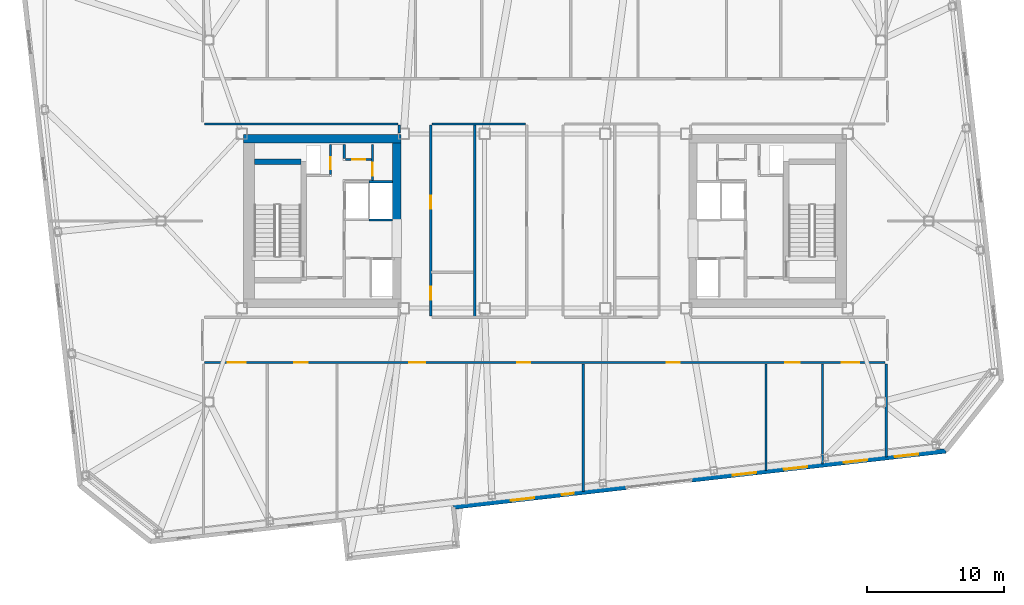
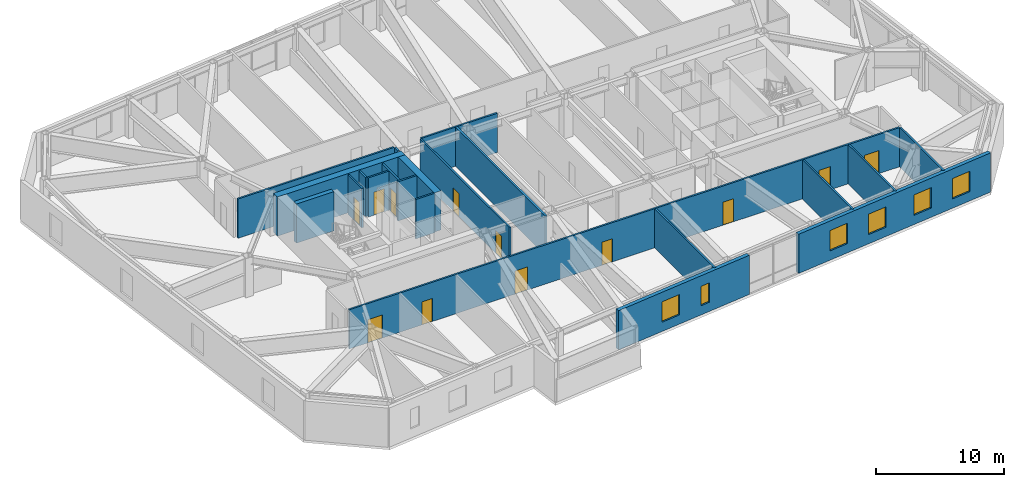
# One storey, part 12 of 18: 21 walls, 12 doors, 6 windows, 18 openings.
"""IFC4 building model written with IfcOpenShell, lengths in metres."""

from ifc_helpers import new_model, si_unit, direction, frame, frame_2d, origin, place, context, subcontext, project, spatial, rectangle, extrude, material, layer, layer_set, type_object, element, fill, save


model = new_model("IFC4")

# Units and contexts
model_context = context("Model", 3, precision=1e-05, world=origin(), true_north=direction((0.0, 1.0)))
body_context = subcontext(model_context, "Body", "Model", "MODEL_VIEW")
ifc_project = project(units=[si_unit("LENGTHUNIT", "METRE"), si_unit("AREAUNIT", "SQUARE_METRE"), si_unit("VOLUMEUNIT", "CUBIC_METRE"), si_unit("PLANEANGLEUNIT", "RADIAN"), si_unit("MASSUNIT", "GRAM", prefix="KILO")], contexts=[model_context])

# Site, building, storey
site_placement = place(None, origin())
site = spatial("IfcSite", under=ifc_project, at=site_placement, CompositionType="ELEMENT")
building_placement = place(site_placement, origin())
building = spatial("IfcBuilding", under=site, at=building_placement, Name="Tavrogorsk Clinical Tower", CompositionType="ELEMENT")
storey_placement = place(building_placement, frame((0.0, 0.0, 222.199951171875)))
storey = spatial("IfcBuildingStorey", under=building, at=storey_placement, Name="L51", CompositionType="ELEMENT", Elevation=222.199951171875)

# Wall, opening, door
ifc_material_1 = material(Name="Lightweight concrete blockwork B15", Category="masonry")
ifc_layer_1 = layer(ifc_material_1, 0.159912109375)
ifc_layer_set_1 = layer_set([ifc_layer_1], Name="Lightweight concrete blockwork B15")
wall_type_1 = type_object("IfcWallType", Name="PartitionWall_160", PredefinedType="PARTITIONING", material=ifc_layer_set_1)
wall_1_placement = place(storey_placement, frame((-12.580078125, 2.9599609375, 0.0), z_axis=(0.0, 0.0, 1.0), x_axis=(0.0, 1.0, 0.0)))
wall_1 = element("IfcWall", 1, at=wall_1_placement, inside=storey, type_object=wall_type_1, Name="L51 Core West Linen Closet Wall", PredefinedType="PARTITIONING", context=body_context, shape_type="SweptSolid", body=[
    extrude(rectangle(XDim=2.60009765625, YDim=0.159912109375, at=frame_2d((1.300048828125, 0.0))), origin(), (0.0, 0.0, 1.0), 3.739990234375),
])
opening_1_placement = place(wall_1_placement, frame((0.35009765625, 0.0, 0.0)))
opening_1 = element("IfcOpeningElement", 2, at=opening_1_placement, cuts=wall_1, Name="Opening ID-02", PredefinedType="OPENING", context=body_context, shape_type="SweptSolid", body=[
    extrude(rectangle(XDim=0.949951171875, YDim=2.199951171875, at=frame_2d((0.47509765625, 1.10009765625))), frame((0.0, 0.08984375, 0.0), z_axis=(0.0, -1.0, 0.0), x_axis=(1.0, 0.0, 0.0)), (0.0, 0.0, 1.0), 0.179931640625),
])
ifc_material_2 = material(Name="Laminated timber leaf on aluminium frame", Category="wood")
door_type_1 = type_object("IfcDoorType", Name="InteriorDoor_ID02_950", OperationType="NOTDEFINED", PredefinedType="DOOR", material=ifc_material_2)
door_1_placement = place(opening_1_placement, origin())
door_1 = element("IfcDoor", 3, at=door_1_placement, inside=storey, type_object=door_type_1, Name="L51 Core West Linen Closet Door", OperationType="SINGLE_SWING_RIGHT", OverallHeight=2.199951171875, OverallWidth=0.949951171875, PredefinedType="DOOR", context=body_context, shape_type="SweptSolid", body=[
    extrude(rectangle(XDim=0.949951171875, YDim=2.199951171875, at=frame_2d((0.47509765625, 1.10009765625))), frame((0.0, 0.02490234375, 0.0), z_axis=(0.0, -1.0, 0.0), x_axis=(1.0, 0.0, 0.0)), (0.0, 0.0, 1.0), 0.050048828125),
])
fill(opening_1, door_1)

wall_2_placement = place(storey_placement, frame((-14.554931640625, 4.47998046875, 0.0), z_axis=(0.0, 0.0, 1.0), x_axis=(1.0, 0.0, 0.0)))
wall_2 = element("IfcWall", 4, at=wall_2_placement, inside=storey, type_object=wall_type_1, Name="L51 Core West Housekeeping South Wall", PredefinedType="PARTITIONING", context=body_context, shape_type="SweptSolid", body=[
    extrude(rectangle(XDim=1.889892578125, YDim=0.159912109375, at=frame_2d((0.94482421875, 0.0))), origin(), (0.0, 0.0, 1.0), 3.739990234375),
])
opening_2_placement = place(wall_2_placement, frame((0.5, 0.0, 0.0)))
opening_2 = element("IfcOpeningElement", 5, at=opening_2_placement, cuts=wall_2, Name="Opening ID-02", PredefinedType="OPENING", context=body_context, shape_type="SweptSolid", body=[
    extrude(rectangle(XDim=0.949951171875, YDim=2.199951171875, at=frame_2d((0.47509765625, 1.10009765625))), frame((0.0, 0.08984375, 0.0), z_axis=(0.0, -1.0, 0.0), x_axis=(1.0, 0.0, 0.0)), (0.0, 0.0, 1.0), 0.179931640625),
])
door_2_placement = place(opening_2_placement, origin())
door_2 = element("IfcDoor", 6, at=door_2_placement, inside=storey, type_object=door_type_1, Name="L51 Core West Housekeeping Closet Door", OperationType="SINGLE_SWING_LEFT", OverallHeight=2.199951171875, OverallWidth=0.949951171875, PredefinedType="DOOR", context=body_context, shape_type="SweptSolid", body=[
    extrude(rectangle(XDim=0.949951171875, YDim=2.199951171875, at=frame_2d((0.47509765625, 1.10009765625))), frame((0.0, 0.02490234375, 0.0), z_axis=(0.0, -1.0, 0.0), x_axis=(1.0, 0.0, 0.0)), (0.0, 0.0, 1.0), 0.050048828125),
])
fill(opening_2, door_2)

# Walls
wall_3_placement = place(storey_placement, frame((-14.639892578125, 4.56494140625, 0.0), z_axis=(0.0, 0.0, 1.0), x_axis=(0.0, 1.0, 0.0)))
element("IfcWall", 7, at=wall_3_placement, inside=storey, type_object=wall_type_1, Name="L51 Core West Housekeeping East Wall", PredefinedType="PARTITIONING", context=body_context, shape_type="SweptSolid", body=[
    extrude(rectangle(XDim=0.9951171875, YDim=0.159912109375, at=frame_2d((0.49755859375, 0.0))), origin(), (0.0, 0.0, 1.0), 3.739990234375),
])
wall_4_placement = place(storey_placement, frame((-10.6298828125, 6.419921875, 0.0), z_axis=(0.0, 0.0, 1.0), x_axis=(0.0, 1.0, 0.0)))
element("IfcWall", 8, at=wall_4_placement, inside=storey, type_object=wall_type_1, Name="L51 Corridor Partition 04", PredefinedType="PARTITIONING", context=body_context, shape_type="SweptSolid", body=[
    extrude(rectangle(XDim=0.565185546875, YDim=0.159912109375, at=frame_2d((0.28271484375, 0.0))), origin(), (0.0, 0.0, 1.0), 3.739990234375),
])
wall_5_placement = place(storey_placement, frame((-10.715087890625, 7.070068359375, 0.0), z_axis=(0.0, 0.0, 1.0), x_axis=(-1.0, 0.0, 0.0)))
element("IfcWall", 9, at=wall_5_placement, inside=storey, type_object=wall_type_1, Name="L51 Corridor Partition 05", PredefinedType="PARTITIONING", context=body_context, shape_type="SweptSolid", body=[
    extrude(rectangle(XDim=14.099853515625, YDim=0.159912109375, at=frame_2d((7.0498046875, 0.0))), origin(), (0.0, 0.0, 1.0), 3.739990234375),
])

# Wall, openings, doors
wall_6_placement = place(storey_placement, frame((24.81494140625, -10.330078125, 0.0), z_axis=(0.0, 0.0, 1.0), x_axis=(-1.0, 0.0, 0.0)))
wall_6 = element("IfcWall", 10, at=wall_6_placement, inside=storey, type_object=wall_type_1, Name="L51 Corridor Partition 14", PredefinedType="PARTITIONING", context=body_context, shape_type="SweptSolid", body=[
    extrude(rectangle(XDim=49.6298828125, YDim=0.159912109375, at=frame_2d((24.81494140625, 0.0))), origin(), (0.0, 0.0, 1.0), 3.739990234375),
])
opening_3_placement = place(wall_6_placement, frame((46.630859375, 0.0, 0.0)))
opening_3 = element("IfcOpeningElement", 11, at=opening_3_placement, cuts=wall_6, Name="Opening ID-01", PredefinedType="OPENING", context=body_context, shape_type="SweptSolid", body=[
    extrude(rectangle(XDim=1.300048828125, YDim=2.199951171875, at=frame_2d((0.64990234375, 1.10009765625))), frame((0.0, 0.08984375, 0.0), z_axis=(0.0, -1.0, 0.0), x_axis=(1.0, 0.0, 0.0)), (0.0, 0.0, 1.0), 0.179931640625),
])
opening_4_placement = place(wall_6_placement, frame((42.1298828125, 0.0, 0.0)))
opening_4 = element("IfcOpeningElement", 12, at=opening_4_placement, cuts=wall_6, Name="Opening ID-02", PredefinedType="OPENING", context=body_context, shape_type="SweptSolid", body=[
    extrude(rectangle(XDim=0.949951171875, YDim=2.199951171875, at=frame_2d((0.47509765625, 1.10009765625))), frame((0.0, 0.08984375, 0.0), z_axis=(0.0, -1.0, 0.0), x_axis=(1.0, 0.0, 0.0)), (0.0, 0.0, 1.0), 0.179931640625),
])
opening_5_placement = place(wall_6_placement, frame((33.550048828125, 0.0, 0.0)))
opening_5 = element("IfcOpeningElement", 13, at=opening_5_placement, cuts=wall_6, Name="Opening ID-06", PredefinedType="OPENING", context=body_context, shape_type="SweptSolid", body=[
    extrude(rectangle(XDim=1.14990234375, YDim=2.199951171875, at=frame_2d((0.574951171875, 1.10009765625))), frame((0.0, 0.08984375, 0.0), z_axis=(0.0, -1.0, 0.0), x_axis=(1.0, 0.0, 0.0)), (0.0, 0.0, 1.0), 0.179931640625),
])
opening_6_placement = place(wall_6_placement, frame((25.889892578125, 0.0, 0.0)))
opening_6 = element("IfcOpeningElement", 14, at=opening_6_placement, cuts=wall_6, Name="Opening ID-02", PredefinedType="OPENING", context=body_context, shape_type="SweptSolid", body=[
    extrude(rectangle(XDim=0.949951171875, YDim=2.199951171875, at=frame_2d((0.47509765625, 1.10009765625))), frame((0.0, 0.08984375, 0.0), z_axis=(0.0, -1.0, 0.0), x_axis=(1.0, 0.0, 0.0)), (0.0, 0.0, 1.0), 0.179931640625),
])
opening_7_placement = place(wall_6_placement, frame((14.965087890625, 0.0, 0.0)))
opening_7 = element("IfcOpeningElement", 15, at=opening_7_placement, cuts=wall_6, Name="Opening ID-02", PredefinedType="OPENING", context=body_context, shape_type="SweptSolid", body=[
    extrude(rectangle(XDim=0.949951171875, YDim=2.199951171875, at=frame_2d((0.47509765625, 1.10009765625))), frame((0.0, 0.08984375, 0.0), z_axis=(0.0, -1.0, 0.0), x_axis=(1.0, 0.0, 0.0)), (0.0, 0.0, 1.0), 0.179931640625),
])
opening_8_placement = place(wall_6_placement, frame((6.239990234375, 0.0, 0.0)))
opening_8 = element("IfcOpeningElement", 16, at=opening_8_placement, cuts=wall_6, Name="Opening ID-04", PredefinedType="OPENING", context=body_context, shape_type="SweptSolid", body=[
    extrude(rectangle(XDim=1.050048828125, YDim=2.199951171875, at=frame_2d((0.52490234375, 1.10009765625))), frame((0.0, 0.08984375, 0.0), z_axis=(0.0, -1.0, 0.0), x_axis=(1.0, 0.0, 0.0)), (0.0, 0.0, 1.0), 0.179931640625),
])
opening_9_placement = place(wall_6_placement, frame((1.869140625, 0.0, 0.0)))
opening_9 = element("IfcOpeningElement", 17, at=opening_9_placement, cuts=wall_6, Name="Opening ID-01", PredefinedType="OPENING", context=body_context, shape_type="SweptSolid", body=[
    extrude(rectangle(XDim=1.300048828125, YDim=2.199951171875, at=frame_2d((0.64990234375, 1.10009765625))), frame((0.0, 0.08984375, 0.0), z_axis=(0.0, -1.0, 0.0), x_axis=(1.0, 0.0, 0.0)), (0.0, 0.0, 1.0), 0.179931640625),
])
ifc_material_3 = material(Name="Antibacterial HPL consultation door on aluminium frame", Category="aluminium")
door_type_2 = type_object("IfcDoorType", Name="ConsultDoor_ID04_1050", OperationType="NOTDEFINED", PredefinedType="DOOR", material=ifc_material_3)
door_3_placement = place(opening_8_placement, origin())
door_3 = element("IfcDoor", 18, at=door_3_placement, inside=storey, type_object=door_type_2, Name="L51 South Attending Physician Office 05 Door", OperationType="SINGLE_SWING_LEFT", OverallHeight=2.199951171875, OverallWidth=1.050048828125, PredefinedType="DOOR", context=body_context, shape_type="SweptSolid", body=[
    extrude(rectangle(XDim=1.050048828125, YDim=2.199951171875, at=frame_2d((0.52490234375, 1.10009765625))), frame((0.0, 0.02490234375, 0.0), z_axis=(0.0, -1.0, 0.0), x_axis=(1.0, 0.0, 0.0)), (0.0, 0.0, 1.0), 0.050048828125),
])
fill(opening_8, door_3)
door_4_placement = place(opening_4_placement, origin())
door_4 = element("IfcDoor", 19, at=door_4_placement, inside=storey, type_object=door_type_1, Name="L51 South Clean Medication & Prep Room 02 Door", OperationType="SINGLE_SWING_LEFT", OverallHeight=2.199951171875, OverallWidth=0.949951171875, PredefinedType="DOOR", context=body_context, shape_type="SweptSolid", body=[
    extrude(rectangle(XDim=0.949951171875, YDim=2.199951171875, at=frame_2d((0.47509765625, 1.10009765625))), frame((0.0, 0.02490234375, 0.0), z_axis=(0.0, -1.0, 0.0), x_axis=(1.0, 0.0, 0.0)), (0.0, 0.0, 1.0), 0.050048828125),
])
fill(opening_4, door_4)
door_5_placement = place(opening_6_placement, origin())
door_5 = element("IfcDoor", 20, at=door_5_placement, inside=storey, type_object=door_type_1, Name="L51 South Clinical Case Seminar Room 03B Door", OperationType="SINGLE_SWING_LEFT", OverallHeight=2.199951171875, OverallWidth=0.949951171875, PredefinedType="DOOR", context=body_context, shape_type="SweptSolid", body=[
    extrude(rectangle(XDim=0.949951171875, YDim=2.199951171875, at=frame_2d((0.47509765625, 1.10009765625))), frame((0.0, 0.02490234375, 0.0), z_axis=(0.0, -1.0, 0.0), x_axis=(1.0, 0.0, 0.0)), (0.0, 0.0, 1.0), 0.050048828125),
])
fill(opening_6, door_5)
door_6_placement = place(opening_7_placement, origin())
door_6 = element("IfcDoor", 21, at=door_6_placement, inside=storey, type_object=door_type_1, Name="L51 South Cardiology Diagnostics Room 04 Door", OperationType="SINGLE_SWING_RIGHT", OverallHeight=2.199951171875, OverallWidth=0.949951171875, PredefinedType="DOOR", context=body_context, shape_type="SweptSolid", body=[
    extrude(rectangle(XDim=0.949951171875, YDim=2.199951171875, at=frame_2d((0.47509765625, 1.10009765625))), frame((0.0, 0.02490234375, 0.0), z_axis=(0.0, -1.0, 0.0), x_axis=(1.0, 0.0, 0.0)), (0.0, 0.0, 1.0), 0.050048828125),
])
fill(opening_7, door_6)
ifc_material_4 = material(Name="Antibacterial HPL procedure door on aluminium frame", Category="aluminium")
door_type_3 = type_object("IfcDoorType", Name="LabDoor_ID06_1150", OperationType="NOTDEFINED", PredefinedType="DOOR", material=ifc_material_4)
door_7_placement = place(opening_5_placement, origin())
door_7 = element("IfcDoor", 22, at=door_7_placement, inside=storey, type_object=door_type_3, Name="L51 South Outpatient Procedure Suite 03A Door", OperationType="SINGLE_SWING_RIGHT", OverallHeight=2.199951171875, OverallWidth=1.14990234375, PredefinedType="DOOR", context=body_context, shape_type="SweptSolid", body=[
    extrude(rectangle(XDim=1.14990234375, YDim=2.199951171875, at=frame_2d((0.574951171875, 1.10009765625))), frame((0.0, 0.02490234375, 0.0), z_axis=(0.0, -1.0, 0.0), x_axis=(1.0, 0.0, 0.0)), (0.0, 0.0, 1.0), 0.050048828125),
])
fill(opening_5, door_7)
ifc_material_5 = material(Name="Antibacterial HPL medical leaf on aluminium frame", Category="aluminium")
door_type_4 = type_object("IfcDoorType", Name="WardBedDoor_ID01_1300", OperationType="NOTDEFINED", PredefinedType="DOOR", material=ifc_material_5)
door_8_placement = place(opening_3_placement, origin())
door_8 = element("IfcDoor", 23, at=door_8_placement, inside=storey, type_object=door_type_4, Name="L51 South Acute Medical Ward 01 Door", OperationType="SINGLE_SWING_RIGHT", OverallHeight=2.199951171875, OverallWidth=1.300048828125, PredefinedType="DOOR", context=body_context, shape_type="SweptSolid", body=[
    extrude(rectangle(XDim=1.300048828125, YDim=2.199951171875, at=frame_2d((0.64990234375, 1.10009765625))), frame((0.0, 0.02490234375, 0.0), z_axis=(0.0, -1.0, 0.0), x_axis=(1.0, 0.0, 0.0)), (0.0, 0.0, 1.0), 0.050048828125),
])
fill(opening_3, door_8)
door_9_placement = place(opening_9_placement, origin())
door_9 = element("IfcDoor", 24, at=door_9_placement, inside=storey, type_object=door_type_4, Name="L51 South Acute Medical Ward 06 Door", OperationType="SINGLE_SWING_RIGHT", OverallHeight=2.199951171875, OverallWidth=1.300048828125, PredefinedType="DOOR", context=body_context, shape_type="SweptSolid", body=[
    extrude(rectangle(XDim=1.300048828125, YDim=2.199951171875, at=frame_2d((0.64990234375, 1.10009765625))), frame((0.0, 0.02490234375, 0.0), z_axis=(0.0, -1.0, 0.0), x_axis=(1.0, 0.0, 0.0)), (0.0, 0.0, 1.0), 0.050048828125),
])
fill(opening_9, door_9)

# Wall
wall_7_placement = place(storey_placement, frame((-1.4150390625, 7.070068359375, 0.0), z_axis=(0.0, 0.0, 1.0), x_axis=(-1.0, 0.0, 0.0)))
element("IfcWall", 25, at=wall_7_placement, inside=storey, type_object=wall_type_1, Name="L51 Corridor Partition 20", PredefinedType="PARTITIONING", context=body_context, shape_type="SweptSolid", body=[
    extrude(rectangle(XDim=6.820068359375, YDim=0.159912109375, at=frame_2d((3.41015625, 0.0))), origin(), (0.0, 0.0, 1.0), 3.739990234375),
])

# Wall, openings, doors
wall_8_placement = place(storey_placement, frame((-8.320068359375, 6.985107421875, 0.0), z_axis=(0.0, 0.0, 1.0), x_axis=(0.0, -1.0, 0.0)))
wall_8 = element("IfcWall", 26, at=wall_8_placement, inside=storey, type_object=wall_type_1, Name="L51 Corridor Partition 21", PredefinedType="PARTITIONING", context=body_context, shape_type="SweptSolid", body=[
    extrude(rectangle(XDim=13.920166015625, YDim=0.159912109375, at=frame_2d((6.9599609375, 0.0))), origin(), (0.0, 0.0, 1.0), 3.739990234375),
])
opening_10_placement = place(wall_8_placement, frame((11.785888671875, 0.0, 0.0)))
opening_10 = element("IfcOpeningElement", 27, at=opening_10_placement, cuts=wall_8, Name="Opening ID-02", PredefinedType="OPENING", context=body_context, shape_type="SweptSolid", body=[
    extrude(rectangle(XDim=0.949951171875, YDim=2.199951171875, at=frame_2d((0.47509765625, 1.10009765625))), frame((0.0, 0.08984375, 0.0), z_axis=(0.0, -1.0, 0.0), x_axis=(1.0, 0.0, 0.0)), (0.0, 0.0, 1.0), 0.179931640625),
])
opening_11_placement = place(wall_8_placement, frame((5.129150390625, 0.0, 0.0)))
opening_11 = element("IfcOpeningElement", 28, at=opening_11_placement, cuts=wall_8, Name="Opening ID-02", PredefinedType="OPENING", context=body_context, shape_type="SweptSolid", body=[
    extrude(rectangle(XDim=0.949951171875, YDim=2.199951171875, at=frame_2d((0.47509765625, 1.10009765625))), frame((0.0, 0.08984375, 0.0), z_axis=(0.0, -1.0, 0.0), x_axis=(1.0, 0.0, 0.0)), (0.0, 0.0, 1.0), 0.179931640625),
])
door_10_placement = place(opening_10_placement, origin())
door_10 = element("IfcDoor", 29, at=door_10_placement, inside=storey, type_object=door_type_1, Name="L51 Accessible Patient Lavatory Door", OperationType="SINGLE_SWING_LEFT", OverallHeight=2.199951171875, OverallWidth=0.949951171875, PredefinedType="DOOR", context=body_context, shape_type="SweptSolid", body=[
    extrude(rectangle(XDim=0.949951171875, YDim=2.199951171875, at=frame_2d((0.47509765625, 1.10009765625))), frame((0.0, 0.02490234375, 0.0), z_axis=(0.0, -1.0, 0.0), x_axis=(1.0, 0.0, 0.0)), (0.0, 0.0, 1.0), 0.050048828125),
])
fill(opening_10, door_10)
door_11_placement = place(opening_11_placement, origin())
door_11 = element("IfcDoor", 30, at=door_11_placement, inside=storey, type_object=door_type_1, Name="L51 Ward Nourishment Pantry Door", OperationType="SINGLE_SWING_RIGHT", OverallHeight=2.199951171875, OverallWidth=0.949951171875, PredefinedType="DOOR", context=body_context, shape_type="SweptSolid", body=[
    extrude(rectangle(XDim=0.949951171875, YDim=2.199951171875, at=frame_2d((0.47509765625, 1.10009765625))), frame((0.0, 0.02490234375, 0.0), z_axis=(0.0, -1.0, 0.0), x_axis=(1.0, 0.0, 0.0)), (0.0, 0.0, 1.0), 0.050048828125),
])
fill(opening_11, door_11)

# Walls
wall_9_placement = place(storey_placement, frame((24.89990234375, -17.199462890625, 0.0), z_axis=(0.0, 0.0, 1.0), x_axis=(0.0, 1.0, 0.0)))
element("IfcWall", 31, at=wall_9_placement, inside=storey, type_object=wall_type_1, Name="L51 SE Wing Closure Partition", PredefinedType="PARTITIONING", context=body_context, shape_type="SweptSolid", body=[
    extrude(rectangle(XDim=6.784423828125, YDim=0.159912109375, at=frame_2d((3.39208984375, 0.0))), origin(), (0.0, 0.0, 1.0), 3.739990234375),
])
wall_10_placement = place(storey_placement, frame((2.800048828125, -19.71728515625, 0.0), z_axis=(0.0, 0.0, 1.0), x_axis=(0.0, 1.0, 0.0)))
element("IfcWall", 32, at=wall_10_placement, inside=storey, type_object=wall_type_1, Name="L51 South Room Partition 3", PredefinedType="PARTITIONING", context=body_context, shape_type="SweptSolid", body=[
    extrude(rectangle(XDim=9.30224609375, YDim=0.159912109375, at=frame_2d((4.651123046875, 0.0))), origin(), (0.0, 0.0, 1.0), 3.739990234375),
])
wall_11_placement = place(storey_placement, frame((16.1201171875, -18.19970703125, 0.0), z_axis=(0.0, 0.0, 1.0), x_axis=(0.0, 1.0, 0.0)))
element("IfcWall", 33, at=wall_11_placement, inside=storey, type_object=wall_type_1, Name="L51 South Room Partition 4", PredefinedType="PARTITIONING", context=body_context, shape_type="SweptSolid", body=[
    extrude(rectangle(XDim=7.78466796875, YDim=0.159912109375, at=frame_2d((3.892333984375, 0.0))), origin(), (0.0, 0.0, 1.0), 3.739990234375),
])
wall_12_placement = place(storey_placement, frame((20.25, -17.729248046875, 0.0), z_axis=(0.0, 0.0, 1.0), x_axis=(0.0, 1.0, 0.0)))
element("IfcWall", 34, at=wall_12_placement, inside=storey, type_object=wall_type_1, Name="L51 South Room Partition 5", PredefinedType="PARTITIONING", context=body_context, shape_type="SweptSolid", body=[
    extrude(rectangle(XDim=7.314208984375, YDim=0.159912109375, at=frame_2d((3.6572265625, 0.0))), origin(), (0.0, 0.0, 1.0), 3.739990234375),
])
ifc_material_6 = material(Name="Lightweight concrete blockwork B20", Category="masonry")
ifc_layer_2 = layer(ifc_material_6, 0.179931640625)
ifc_layer_set_2 = layer_set([ifc_layer_2], Name="Lightweight concrete blockwork B20")
wall_type_2 = type_object("IfcWallType", Name="PartitionWall_180", PredefinedType="PARTITIONING", material=ifc_layer_set_2)
wall_13_placement = place(storey_placement, frame((-5.10009765625, -7.014892578125, 0.0), z_axis=(0.0, 0.0, 1.0), x_axis=(0.0, 1.0, 0.0)))
element("IfcWall", 35, at=wall_13_placement, inside=storey, type_object=wall_type_2, Name="L51 Central Spine Partition 1", PredefinedType="PARTITIONING", context=body_context, shape_type="SweptSolid", body=[
    extrude(rectangle(XDim=14.079833984375, YDim=0.179931640625, at=frame_2d((7.0400390625, 0.0))), origin(), (0.0, 0.0, 1.0), 3.739990234375),
])

# Wall, openings, windows
ifc_material_7 = material(Name="Precast concrete B45 with limestone cladding", Category="masonry")
ifc_layer_3 = layer(ifc_material_7, 0.340087890625)
ifc_layer_set_3 = layer_set([ifc_layer_3], Name="Precast concrete B45 with limestone cladding")
wall_type_3 = type_object("IfcWallType", Name="PrecastLimestoneWall_340", PredefinedType="STANDARD", material=ifc_layer_set_3)
wall_14_placement = place(storey_placement, frame((-6.675537109375, -20.867431640625, 0.0), z_axis=(0.0, 0.0, 1.0), x_axis=(0.993572024997, 0.113201727649, 0.0)))
wall_14 = element("IfcWall", 36, at=wall_14_placement, inside=storey, type_object=wall_type_3, Name="L51 S Limestone Facade Wall 2", PredefinedType="STANDARD", context=body_context, shape_type="SweptSolid", body=[
    extrude(rectangle(XDim=12.698486328125, YDim=0.340087890625, at=frame_2d((6.34912109375, 0.0))), origin(), (0.0, 0.0, 1.0), 3.739990234375),
])
opening_12_placement = place(wall_14_placement, frame((4.225830078125, 0.0, 0.8798828125)))
opening_12 = element("IfcOpeningElement", 37, at=opening_12_placement, cuts=wall_14, Name="Opening WN-15", PredefinedType="OPENING", context=body_context, shape_type="SweptSolid", body=[
    extrude(rectangle(XDim=1.699951171875, YDim=1.949951171875, at=frame_2d((0.85009765625, 0.97509765625))), frame((0.0, 0.179931640625, 0.0), z_axis=(0.0, -1.0, 0.0), x_axis=(1.0, 0.0, 0.0)), (0.0, 0.0, 1.0), 0.360107421875),
])
opening_13_placement = place(wall_14_placement, frame((7.97412109375, 0.0, 0.8798828125)))
opening_13 = element("IfcOpeningElement", 38, at=opening_13_placement, cuts=wall_14, Name="Opening WN-06", PredefinedType="OPENING", context=body_context, shape_type="SweptSolid", body=[
    extrude(rectangle(XDim=0.85009765625, YDim=1.85009765625, at=frame_2d((0.425048828125, 0.925048828125))), frame((0.0, 0.179931640625, 0.0), z_axis=(0.0, -1.0, 0.0), x_axis=(1.0, 0.0, 0.0)), (0.0, 0.0, 1.0), 0.360107421875),
])
ifc_material_8 = material(Name="Thermally broken aluminium frame and triple IGU", Category="aluminium")
window_type_1 = type_object("IfcWindowType", Name="MullionSubWin_850x1850", PartitioningType="SINGLE_PANEL", PredefinedType="WINDOW", material=ifc_material_8)
window_1_placement = place(opening_13_placement, origin())
window_1 = element("IfcWindow", 39, at=window_1_placement, inside=storey, type_object=window_type_1, Name="L51 S Mullion Split Window 06A", OverallHeight=1.85009765625, OverallWidth=0.85009765625, PartitioningType="SINGLE_PANEL", PredefinedType="WINDOW", context=body_context, shape_type="SweptSolid", body=[
    extrude(rectangle(XDim=0.85009765625, YDim=1.85009765625, at=frame_2d((0.425048828125, 0.925048828125))), frame((0.0, 0.030029296875, 0.0), z_axis=(0.0, -1.0, 0.0), x_axis=(1.0, 0.0, 0.0)), (0.0, 0.0, 1.0), 0.06005859375),
])
fill(opening_13, window_1)
ifc_material_9 = material(Name="Thermally broken aluminium frame and triple IGU", Category="aluminium")
window_type_2 = type_object("IfcWindowType", Name="OfficeChicagoWin_1700x1950", PartitioningType="SINGLE_PANEL", PredefinedType="WINDOW", material=ifc_material_9)
window_2_placement = place(opening_12_placement, origin())
window_2 = element("IfcWindow", 40, at=window_2_placement, inside=storey, type_object=window_type_2, Name="L51 S Chicago Window 05", OverallHeight=1.949951171875, OverallWidth=1.699951171875, PartitioningType="SINGLE_PANEL", PredefinedType="WINDOW", context=body_context, shape_type="SweptSolid", body=[
    extrude(rectangle(XDim=1.699951171875, YDim=1.949951171875, at=frame_2d((0.85009765625, 0.97509765625))), frame((0.0, 0.030029296875, 0.0), z_axis=(0.0, -1.0, 0.0), x_axis=(1.0, 0.0, 0.0)), (0.0, 0.0, 1.0), 0.06005859375),
])
fill(opening_12, window_2)

wall_15_placement = place(storey_placement, frame((10.71044921875, -18.886474609375, 0.0), z_axis=(0.0, 0.0, 1.0), x_axis=(0.993572271362, 0.113199565282, 0.0)))
wall_15 = element("IfcWall", 41, at=wall_15_placement, inside=storey, type_object=wall_type_3, Name="L51 S Limestone Facade Wall 3", PredefinedType="STANDARD", context=body_context, shape_type="SweptSolid", body=[
    extrude(rectangle(XDim=18.6513671875, YDim=0.340087890625, at=frame_2d((9.32568359375, 0.0))), origin(), (0.0, 0.0, 1.0), 3.739990234375),
])
opening_14_placement = place(wall_15_placement, frame((3.0244140625, 0.0, 0.8798828125)))
opening_14 = element("IfcOpeningElement", 42, at=opening_14_placement, cuts=wall_15, Name="Opening WN-15", PredefinedType="OPENING", context=body_context, shape_type="SweptSolid", body=[
    extrude(rectangle(XDim=1.699951171875, YDim=1.949951171875, at=frame_2d((0.85009765625, 0.97509765625))), frame((0.0, 0.179931640625, 0.0), z_axis=(0.0, -1.0, 0.0), x_axis=(1.0, 0.0, 0.0)), (0.0, 0.0, 1.0), 0.360107421875),
])
opening_15_placement = place(wall_15_placement, frame((6.772705078125, 0.0, 0.8798828125)))
opening_15 = element("IfcOpeningElement", 43, at=opening_15_placement, cuts=wall_15, Name="Opening WN-15", PredefinedType="OPENING", context=body_context, shape_type="SweptSolid", body=[
    extrude(rectangle(XDim=1.699951171875, YDim=1.949951171875, at=frame_2d((0.85009765625, 0.97509765625))), frame((0.0, 0.179931640625, 0.0), z_axis=(0.0, -1.0, 0.0), x_axis=(1.0, 0.0, 0.0)), (0.0, 0.0, 1.0), 0.360107421875),
])
opening_16_placement = place(wall_15_placement, frame((11.1728515625, 0.0, 0.8798828125)))
opening_16 = element("IfcOpeningElement", 44, at=opening_16_placement, cuts=wall_15, Name="Opening WN-15", PredefinedType="OPENING", context=body_context, shape_type="SweptSolid", body=[
    extrude(rectangle(XDim=1.699951171875, YDim=1.949951171875, at=frame_2d((0.85009765625, 0.97509765625))), frame((0.0, 0.179931640625, 0.0), z_axis=(0.0, -1.0, 0.0), x_axis=(1.0, 0.0, 0.0)), (0.0, 0.0, 1.0), 0.360107421875),
])
opening_17_placement = place(wall_15_placement, frame((14.921142578125, 0.0, 0.8798828125)))
opening_17 = element("IfcOpeningElement", 45, at=opening_17_placement, cuts=wall_15, Name="Opening WN-15", PredefinedType="OPENING", context=body_context, shape_type="SweptSolid", body=[
    extrude(rectangle(XDim=1.699951171875, YDim=1.949951171875, at=frame_2d((0.85009765625, 0.97509765625))), frame((0.0, 0.179931640625, 0.0), z_axis=(0.0, -1.0, 0.0), x_axis=(1.0, 0.0, 0.0)), (0.0, 0.0, 1.0), 0.360107421875),
])
window_3_placement = place(opening_14_placement, origin())
window_3 = element("IfcWindow", 46, at=window_3_placement, inside=storey, type_object=window_type_2, Name="L51 S Chicago Window 07", OverallHeight=1.949951171875, OverallWidth=1.699951171875, PartitioningType="SINGLE_PANEL", PredefinedType="WINDOW", context=body_context, shape_type="SweptSolid", body=[
    extrude(rectangle(XDim=1.699951171875, YDim=1.949951171875, at=frame_2d((0.85009765625, 0.97509765625))), frame((0.0, 0.030029296875, 0.0), z_axis=(0.0, -1.0, 0.0), x_axis=(1.0, 0.0, 0.0)), (0.0, 0.0, 1.0), 0.06005859375),
])
fill(opening_14, window_3)
window_4_placement = place(opening_15_placement, origin())
window_4 = element("IfcWindow", 47, at=window_4_placement, inside=storey, type_object=window_type_2, Name="L51 S Chicago Window 08", OverallHeight=1.949951171875, OverallWidth=1.699951171875, PartitioningType="SINGLE_PANEL", PredefinedType="WINDOW", context=body_context, shape_type="SweptSolid", body=[
    extrude(rectangle(XDim=1.699951171875, YDim=1.949951171875, at=frame_2d((0.85009765625, 0.97509765625))), frame((0.0, 0.030029296875, 0.0), z_axis=(0.0, -1.0, 0.0), x_axis=(1.0, 0.0, 0.0)), (0.0, 0.0, 1.0), 0.06005859375),
])
fill(opening_15, window_4)
window_5_placement = place(opening_16_placement, origin())
window_5 = element("IfcWindow", 48, at=window_5_placement, inside=storey, type_object=window_type_2, Name="L51 S Chicago Window 09", OverallHeight=1.949951171875, OverallWidth=1.699951171875, PartitioningType="SINGLE_PANEL", PredefinedType="WINDOW", context=body_context, shape_type="SweptSolid", body=[
    extrude(rectangle(XDim=1.699951171875, YDim=1.949951171875, at=frame_2d((0.85009765625, 0.97509765625))), frame((0.0, 0.030029296875, 0.0), z_axis=(0.0, -1.0, 0.0), x_axis=(1.0, 0.0, 0.0)), (0.0, 0.0, 1.0), 0.06005859375),
])
fill(opening_16, window_5)
window_6_placement = place(opening_17_placement, origin())
window_6 = element("IfcWindow", 49, at=window_6_placement, inside=storey, type_object=window_type_2, Name="L51 S Chicago Window 10", OverallHeight=1.949951171875, OverallWidth=1.699951171875, PartitioningType="SINGLE_PANEL", PredefinedType="WINDOW", context=body_context, shape_type="SweptSolid", body=[
    extrude(rectangle(XDim=1.699951171875, YDim=1.949951171875, at=frame_2d((0.85009765625, 0.97509765625))), frame((0.0, 0.030029296875, 0.0), z_axis=(0.0, -1.0, 0.0), x_axis=(1.0, 0.0, 0.0)), (0.0, 0.0, 1.0), 0.06005859375),
])
fill(opening_17, window_6)

# Walls
ifc_material_10 = material(Name="Lightweight concrete blockwork B25", Category="masonry")
ifc_layer_4 = layer(ifc_material_10, 0.159912109375)
ifc_layer_set_4 = layer_set([ifc_layer_4], Name="Lightweight concrete blockwork B25")
wall_type_4 = type_object("IfcWallType", Name="ShaftWall_160", PredefinedType="PARTITIONING", material=ifc_layer_set_4)
for number, where, z_axis, x_axis, name in (
    (50, (-12.820068359375, 0.06005859375, 0.0), (0.0, 0.0, 1.0), (1.0, 0.0, 0.0), "L51 LP-H1 High-Zone Lift Portal Wall"),
    (51, (-12.820068359375, 2.860107421875, 0.0), (0.0, 0.0, 1.0), (1.0, 0.0, 0.0), "L51 LP-H1 High-Zone Lift Rear Wall"),
):
    element("IfcWall", number, at=place(storey_placement, frame(where, z_axis=z_axis, x_axis=x_axis)), inside=storey, type_object=wall_type_4, Name=name, PredefinedType="PARTITIONING", context=body_context, shape_type="SweptSolid", body=[
        extrude(rectangle(XDim=1.719970703125, YDim=0.159912109375, at=frame_2d((0.85986328125, 0.0))), origin(), (0.0, 0.0, 1.0), 3.739990234375),
    ])

# Wall, opening, door
wall_16_placement = place(storey_placement, frame((-15.639892578125, 3.405029296875, 0.0), z_axis=(0.0, 0.0, 1.0), x_axis=(0.0, 1.0, 0.0)))
wall_16 = element("IfcWall", 52, at=wall_16_placement, inside=storey, type_object=wall_type_4, Name="L51 Core West Riser West Wall", PredefinedType="PARTITIONING", context=body_context, shape_type="SweptSolid", body=[
    extrude(rectangle(XDim=2.155029296875, YDim=0.159912109375, at=frame_2d((1.07763671875, 0.0))), origin(), (0.0, 0.0, 1.0), 3.739990234375),
])
opening_18_placement = place(wall_16_placement, frame((0.35009765625, 0.0, 0.0)))
opening_18 = element("IfcOpeningElement", 53, at=opening_18_placement, cuts=wall_16, Name="Opening FD-02", PredefinedType="OPENING", context=body_context, shape_type="SweptSolid", body=[
    extrude(rectangle(XDim=0.89990234375, YDim=2.199951171875, at=frame_2d((0.449951171875, 1.10009765625))), frame((0.0, 0.08984375, 0.0), z_axis=(0.0, -1.0, 0.0), x_axis=(1.0, 0.0, 0.0)), (0.0, 0.0, 1.0), 0.179931640625),
])
ifc_material_11 = material(Name="Galvanised steel fire-rated door assembly", Category="steel")
door_type_5 = type_object("IfcDoorType", Name="FireDoor_FD02_900", OperationType="NOTDEFINED", PredefinedType="DOOR", material=ifc_material_11)
door_12_placement = place(opening_18_placement, origin())
door_12 = element("IfcDoor", 54, at=door_12_placement, inside=storey, type_object=door_type_5, Name="L51 Core West Electrical Riser Access Door", OperationType="SINGLE_SWING_LEFT", OverallHeight=2.199951171875, OverallWidth=0.89990234375, PredefinedType="DOOR", context=body_context, shape_type="SweptSolid", body=[
    extrude(rectangle(XDim=0.89990234375, YDim=2.199951171875, at=frame_2d((0.449951171875, 1.10009765625))), frame((0.0, 0.02490234375, 0.0), z_axis=(0.0, -1.0, 0.0), x_axis=(1.0, 0.0, 0.0)), (0.0, 0.0, 1.0), 0.050048828125),
])
fill(opening_18, door_12)

# Walls
ifc_material_12 = material(Name="Concrete B80", Category="concrete")
ifc_layer_5 = layer(ifc_material_12, 0.39990234375)
ifc_layer_set_5 = layer_set([ifc_layer_5], Name="Concrete B80")
wall_type_5 = type_object("IfcWallType", Name="ShearWall_400", PredefinedType="SHEAR", material=ifc_layer_set_5)
wall_17_placement = place(storey_placement, frame((-21.199951171875, 4.324951171875, 0.0), z_axis=(0.0, 0.0, 1.0), x_axis=(1.0, 0.0, 0.0)))
element("IfcWall", 55, at=wall_17_placement, inside=storey, type_object=wall_type_5, Name="L51 Core West Stair Shaft North Shear Wall", PredefinedType="SHEAR", context=body_context, shape_type="SweptSolid", body=[
    extrude(rectangle(XDim=3.39990234375, YDim=0.39990234375, at=frame_2d((1.699951171875, 0.0))), origin(), (0.0, 0.0, 1.0), 3.739990234375),
])
ifc_material_13 = material(Name="Concrete B80", Category="concrete")
ifc_layer_6 = layer(ifc_material_13, 0.60009765625)
ifc_layer_set_6 = layer_set([ifc_layer_6], Name="Concrete B80")
wall_type_6 = type_object("IfcWallType", Name="ShearWall_600", PredefinedType="SHEAR", material=ifc_layer_set_6)
wall_18_placement = place(storey_placement, frame((-22.0, 6.0, 0.0), z_axis=(0.0, 0.0, 1.0), x_axis=(1.0, 0.0, 0.0)))
element("IfcWall", 56, at=wall_18_placement, inside=storey, type_object=wall_type_6, Name="L51 Core West North Shear Wall", PredefinedType="SHEAR", context=body_context, shape_type="SweptSolid", body=[
    extrude(rectangle(XDim=11.5, YDim=0.60009765625, at=frame_2d((5.75, 0.0))), origin(), (0.0, 0.0, 1.0), 3.739990234375),
])
wall_19_placement = place(storey_placement, frame((-10.800048828125, 0.050048828125, 0.0), z_axis=(0.0, 0.0, 1.0), x_axis=(0.0, 1.0, 0.0)))
element("IfcWall", 57, at=wall_19_placement, inside=storey, type_object=wall_type_6, Name="L51 Core West Inner North Pier", PredefinedType="SHEAR", context=body_context, shape_type="SweptSolid", body=[
    extrude(rectangle(XDim=5.64990234375, YDim=0.60009765625, at=frame_2d((2.824951171875, 0.0))), origin(), (0.0, 0.0, 1.0), 3.739990234375),
])

save(model, "model.ifc")
